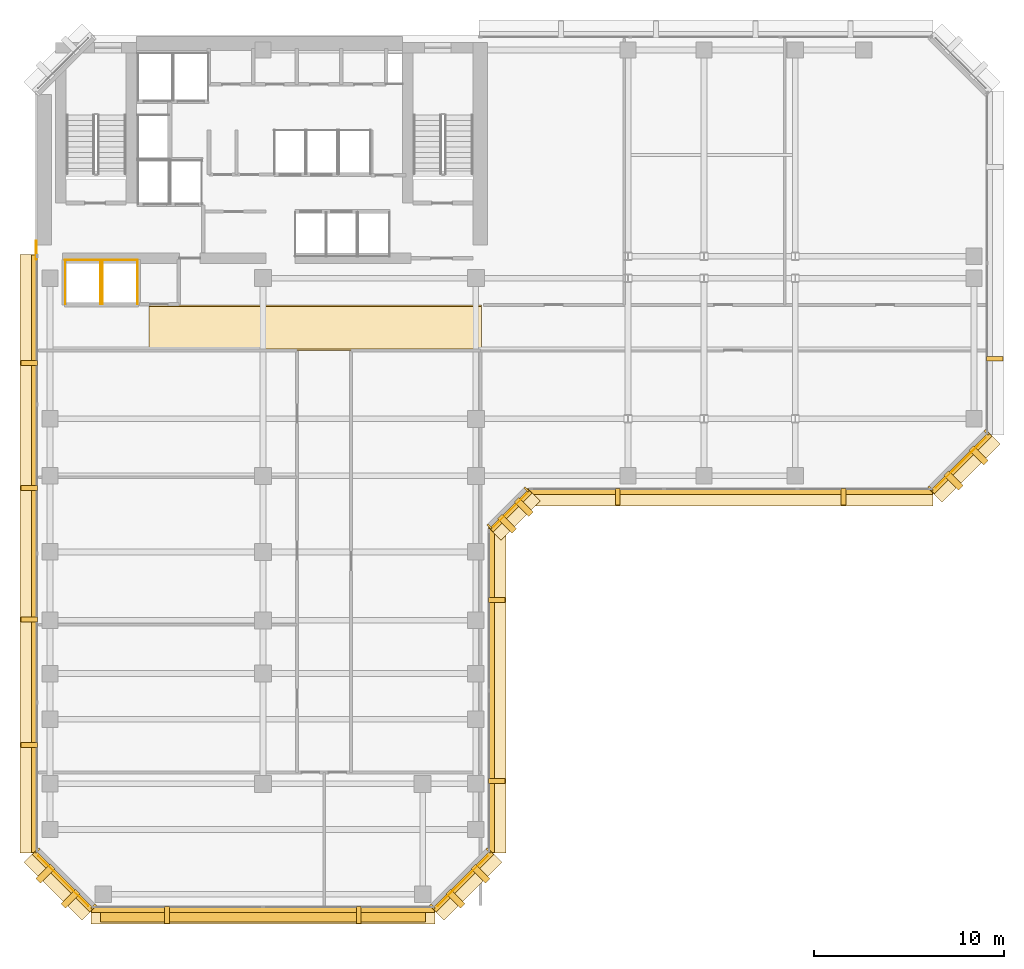
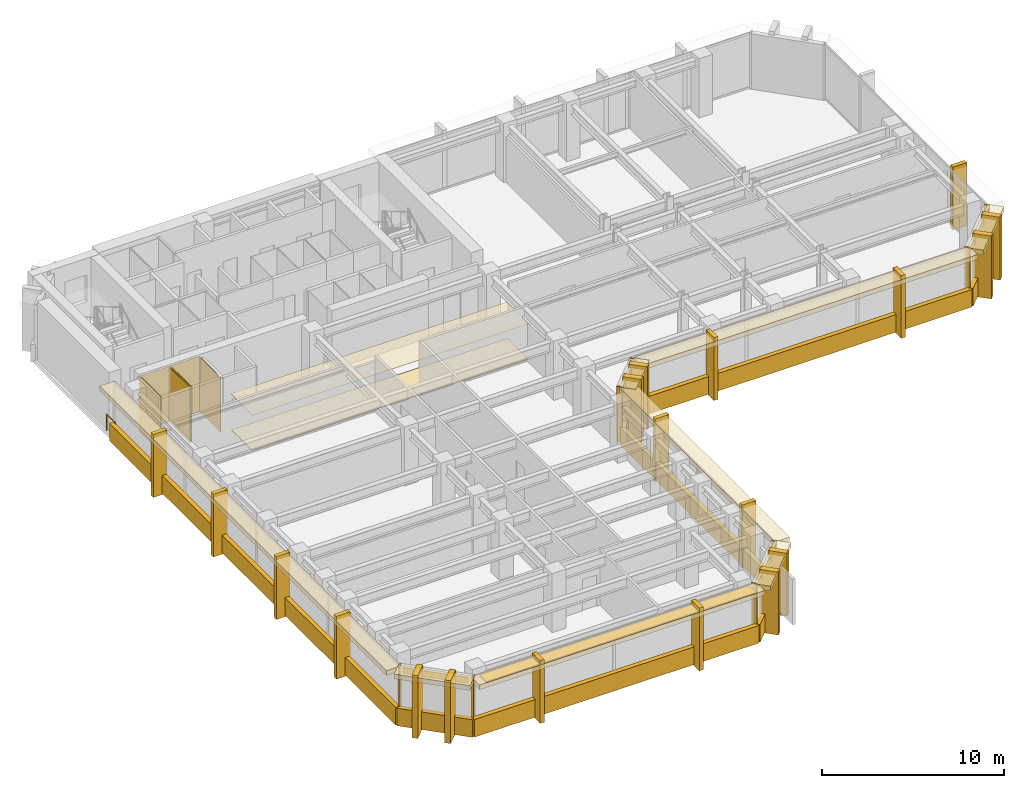
# One storey, part 9 of 11: 55 coverings, 1 railing, 1 shading device.
"""IFC4 building model written with IfcOpenShell, lengths in metres."""

from ifc_helpers import new_model, si_unit, direction, frame, origin, origin_2d, place, context, subcontext, project, spatial, polyline, rectangle, circle, outline, extrude, material, layer, layer_set, type_object, element, save


model = new_model("IFC4")

# Units and contexts
model_context = context("Model", 3, precision=1e-05, world=origin(), true_north=direction((0.0, 1.0)))
body_context = subcontext(model_context, "Body", "Model", "MODEL_VIEW")
ifc_project = project(units=[si_unit("LENGTHUNIT", "METRE"), si_unit("AREAUNIT", "SQUARE_METRE"), si_unit("VOLUMEUNIT", "CUBIC_METRE"), si_unit("PLANEANGLEUNIT", "RADIAN"), si_unit("MASSUNIT", "GRAM", prefix="KILO")], contexts=[model_context])

# Site, building, storey
site_placement = place(None, origin())
site = spatial("IfcSite", under=ifc_project, at=site_placement, CompositionType="ELEMENT")
building_placement = place(site_placement, origin())
building = spatial("IfcBuilding", under=site, at=building_placement, Name="Kefirva Bronze Tower", CompositionType="ELEMENT")
storey_placement = place(building_placement, frame((0.0, 0.0, 166.64990234375)))
storey = spatial("IfcBuildingStorey", under=building, at=storey_placement, Name="L40", CompositionType="ELEMENT", Elevation=166.64990234375)

# Coverings
ifc_material_1 = material(Name="Acoustic mineral tile")
ifc_layer_1 = layer(ifc_material_1, 0.02490234375, Name="Acoustic mineral tile")
ifc_layer_set_1 = layer_set([ifc_layer_1], Name="Acoustic mineral tile")
covering_type_1 = type_object("IfcCoveringType", Name="Acoustic Mineral Suspended Ceiling 25mm", PredefinedType="CEILING", material=ifc_layer_set_1)
covering_1_placement = place(storey_placement, frame((0.0, 0.0, 2.400146484375)))
element("IfcCovering", 1, at=covering_1_placement, inside=storey, type_object=covering_type_1, Name="L40 Corridor Acoustic Ceiling", PredefinedType="CEILING", context=body_context, shape_type="SweptSolid", body=[
    extrude(outline(polyline([(6.0, 29.39990234375), (23.5, 29.39990234375), (23.5, 31.800048828125), (6.0, 31.800048828125), (6.0, 29.39990234375)])), origin(), (0.0, 0.0, 1.0), 0.02490234375),
])
ifc_material_2 = material(Name="Bronze anodised aluminium", Category="aluminium")
ifc_layer_2 = layer(ifc_material_2, 0.02001953125, Name="Bronze anodised aluminium")
ifc_layer_set_2 = layer_set([ifc_layer_2], Name="Bronze anodised aluminium")
covering_type_2 = type_object("IfcCoveringType", Name="Anodised Bronze Spandrel Cladding 20mm", PredefinedType="CLADDING", material=ifc_layer_set_2)
covering_2_placement = place(storey_placement, frame((12.0, -0.0400390625, -0.15966796875), z_axis=(0.0, 0.0, 1.0), x_axis=(1.0, 0.0, 0.0)))
element("IfcCovering", 2, at=covering_2_placement, inside=storey, type_object=covering_type_2, Name="L40 Streamline Horizontal Spandrel Band 0", PredefinedType="CLADDING", context=body_context, shape_type="SweptSolid", body=[
    extrude(rectangle(XDim=18.0400390625, YDim=0.280029296875, at=origin_2d()), origin(), (0.0, 0.0, 1.0), 1.179931640625),
])
covering_3_placement = place(storey_placement, frame((22.507080078125, 1.492919921875, 3.2900390625), z_axis=(0.0, 0.0, 1.0), x_axis=(0.707106781187, 0.707106781187, 0.0)))
element("IfcCovering", 3, at=covering_3_placement, inside=storey, type_object=covering_type_2, Name="L40 Bronze Spandrel Cladding 1", PredefinedType="CLADDING", context=body_context, shape_type="SweptSolid", body=[
    extrude(rectangle(XDim=3.719482421875, YDim=0.02001953125, at=origin_2d()), origin(), (0.0, 0.0, 1.0), 0.39990234375),
])
for number, where, z_axis, x_axis, name in (
    (4, (20.91162109375, 0.137939453125, 0.0), (0.0, 0.0, 1.0), (0.707106781187, 0.707106781187, 0.0), "L40 Facade Joint Closure Panel 1S"),
    (5, (23.862060546875, 3.08837890625, 0.0), (0.0, 0.0, 1.0), (0.707106781187, 0.707106781187, 0.0), "L40 Facade Joint Closure Panel 1E"),
):
    element("IfcCovering", number, at=place(storey_placement, frame(where, z_axis=z_axis, x_axis=x_axis)), inside=storey, type_object=covering_type_2, Name=name, PredefinedType="CLADDING", context=body_context, shape_type="SweptSolid", body=[
        extrude(rectangle(XDim=0.10009765625, YDim=0.320068359375, at=origin_2d()), origin(), (0.0, 0.0, 1.0), 3.7099609375),
    ])
covering_4_placement = place(storey_placement, frame((22.5283203125, 1.4716796875, -0.15966796875), z_axis=(0.0, 0.0, 1.0), x_axis=(0.707106781187, 0.707106781187, 0.0)))
element("IfcCovering", 6, at=covering_4_placement, inside=storey, type_object=covering_type_2, Name="L40 Streamline Horizontal Spandrel Band 1", PredefinedType="CLADDING", context=body_context, shape_type="SweptSolid", body=[
    extrude(rectangle(XDim=4.28271484375, YDim=0.280029296875, at=origin_2d()), origin(), (0.0, 0.0, 1.0), 1.179931640625),
])
covering_5_placement = place(storey_placement, frame((24.0400390625, 11.5, -0.15966796875), z_axis=(0.0, 0.0, 1.0), x_axis=(0.0, 1.0, 0.0)))
element("IfcCovering", 7, at=covering_5_placement, inside=storey, type_object=covering_type_2, Name="L40 Streamline Horizontal Spandrel Band 2", PredefinedType="CLADDING", context=body_context, shape_type="SweptSolid", body=[
    extrude(rectangle(XDim=17.0400390625, YDim=0.280029296875, at=origin_2d()), origin(), (0.0, 0.0, 1.0), 1.179931640625),
])
covering_6_placement = place(storey_placement, frame((25.007080078125, 20.992919921875, 3.2900390625), z_axis=(0.0, 0.0, 1.0), x_axis=(0.707106781187, 0.707106781187, 0.0)))
element("IfcCovering", 8, at=covering_6_placement, inside=storey, type_object=covering_type_2, Name="L40 Bronze Spandrel Cladding 2", PredefinedType="CLADDING", context=body_context, shape_type="SweptSolid", body=[
    extrude(rectangle(XDim=2.446533203125, YDim=0.02001953125, at=origin_2d()), origin(), (0.0, 0.0, 1.0), 0.39990234375),
])
for number, where, z_axis, x_axis, name in (
    (9, (23.91162109375, 20.137939453125, 0.0), (0.0, 0.0, 1.0), (0.707106781187, 0.707106781187, 0.0), "L40 Facade Joint Closure Panel 2S"),
    (10, (25.862060546875, 22.08837890625, 0.0), (0.0, 0.0, 1.0), (0.707106781187, 0.707106781187, 0.0), "L40 Facade Joint Closure Panel 2E"),
):
    element("IfcCovering", number, at=place(storey_placement, frame(where, z_axis=z_axis, x_axis=x_axis)), inside=storey, type_object=covering_type_2, Name=name, PredefinedType="CLADDING", context=body_context, shape_type="SweptSolid", body=[
        extrude(rectangle(XDim=0.10009765625, YDim=0.320068359375, at=origin_2d()), origin(), (0.0, 0.0, 1.0), 3.7099609375),
    ])
covering_7_placement = place(storey_placement, frame((25.0283203125, 20.9716796875, -0.15966796875), z_axis=(0.0, 0.0, 1.0), x_axis=(0.707106781187, 0.707106781187, 0.0)))
element("IfcCovering", 11, at=covering_7_placement, inside=storey, type_object=covering_type_2, Name="L40 Streamline Horizontal Spandrel Band 3", PredefinedType="CLADDING", context=body_context, shape_type="SweptSolid", body=[
    extrude(rectangle(XDim=2.868408203125, YDim=0.280029296875, at=origin_2d()), origin(), (0.0, 0.0, 1.0), 1.179931640625),
])
covering_8_placement = place(storey_placement, frame((36.60009765625, 21.9599609375, -0.15966796875), z_axis=(0.0, 0.0, 1.0), x_axis=(1.0, 0.0, 0.0)))
element("IfcCovering", 12, at=covering_8_placement, inside=storey, type_object=covering_type_2, Name="L40 Streamline Horizontal Spandrel Band 4", PredefinedType="CLADDING", context=body_context, shape_type="SweptSolid", body=[
    extrude(rectangle(XDim=21.239990234375, YDim=0.280029296875, at=origin_2d()), origin(), (0.0, 0.0, 1.0), 1.179931640625),
])
covering_9_placement = place(storey_placement, frame((48.70703125, 23.492919921875, 3.2900390625), z_axis=(0.0, 0.0, 1.0), x_axis=(0.707106781187, 0.707106781187, 0.0)))
element("IfcCovering", 13, at=covering_9_placement, inside=storey, type_object=covering_type_2, Name="L40 Bronze Spandrel Cladding 3", PredefinedType="CLADDING", context=body_context, shape_type="SweptSolid", body=[
    extrude(rectangle(XDim=3.719482421875, YDim=0.02001953125, at=origin_2d()), origin(), (0.0, 0.0, 1.0), 0.39990234375),
])
for number, where, z_axis, x_axis, name in (
    (14, (47.11181640625, 22.137939453125, 0.0), (0.0, 0.0, 1.0), (0.707106781187, 0.707106781187, 0.0), "L40 Facade Joint Closure Panel 3S"),
    (15, (50.06201171875, 25.08837890625, 0.0), (0.0, 0.0, 1.0), (0.707106781187, 0.707106781187, 0.0), "L40 Facade Joint Closure Panel 3E"),
):
    element("IfcCovering", number, at=place(storey_placement, frame(where, z_axis=z_axis, x_axis=x_axis)), inside=storey, type_object=covering_type_2, Name=name, PredefinedType="CLADDING", context=body_context, shape_type="SweptSolid", body=[
        extrude(rectangle(XDim=0.10009765625, YDim=0.320068359375, at=origin_2d()), origin(), (0.0, 0.0, 1.0), 3.7099609375),
    ])
covering_10_placement = place(storey_placement, frame((48.728271484375, 23.4716796875, -0.15966796875), z_axis=(0.0, 0.0, 1.0), x_axis=(0.707106781187, 0.707106781187, 0.0)))
element("IfcCovering", 16, at=covering_10_placement, inside=storey, type_object=covering_type_2, Name="L40 Streamline Horizontal Spandrel Band 5", PredefinedType="CLADDING", context=body_context, shape_type="SweptSolid", body=[
    extrude(rectangle(XDim=4.28271484375, YDim=0.280029296875, at=origin_2d()), origin(), (0.0, 0.0, 1.0), 1.179931640625),
])
covering_11_placement = place(storey_placement, frame((-0.0400390625, 18.697509765625, -0.15966796875), z_axis=(0.0, 0.0, 1.0), x_axis=(0.0, -1.0, 0.0)))
element("IfcCovering", 17, at=covering_11_placement, inside=storey, type_object=covering_type_2, Name="L40 Streamline Horizontal Spandrel Band 10", PredefinedType="CLADDING", context=body_context, shape_type="SweptSolid", body=[
    extrude(rectangle(XDim=31.43505859375, YDim=0.280029296875, at=origin_2d()), origin(), (0.0, 0.0, 1.0), 1.179931640625),
])
covering_12_placement = place(storey_placement, frame((1.492919921875, 1.492919921875, 3.2900390625), z_axis=(0.0, 0.0, 1.0), x_axis=(0.707106781187, -0.707106781187, 0.0)))
element("IfcCovering", 18, at=covering_12_placement, inside=storey, type_object=covering_type_2, Name="L40 Bronze Spandrel Cladding 6", PredefinedType="CLADDING", context=body_context, shape_type="SweptSolid", body=[
    extrude(rectangle(XDim=3.719482421875, YDim=0.02001953125, at=origin_2d()), origin(), (0.0, 0.0, 1.0), 0.39990234375),
])
for number, where, z_axis, x_axis, name in (
    (19, (0.137939453125, 3.08837890625, 0.0), (0.0, 0.0, 1.0), (0.707106781187, -0.707106781187, 0.0), "L40 Facade Joint Closure Panel 6S"),
    (20, (3.08837890625, 0.137939453125, 0.0), (0.0, 0.0, 1.0), (0.707106781187, -0.707106781187, 0.0), "L40 Facade Joint Closure Panel 6E"),
):
    element("IfcCovering", number, at=place(storey_placement, frame(where, z_axis=z_axis, x_axis=x_axis)), inside=storey, type_object=covering_type_2, Name=name, PredefinedType="CLADDING", context=body_context, shape_type="SweptSolid", body=[
        extrude(rectangle(XDim=0.10009765625, YDim=0.320068359375, at=origin_2d()), origin(), (0.0, 0.0, 1.0), 3.7099609375),
    ])
covering_13_placement = place(storey_placement, frame((1.4716796875, 1.4716796875, -0.15966796875), z_axis=(0.0, 0.0, 1.0), x_axis=(0.707106781187, -0.707106781187, 0.0)))
element("IfcCovering", 21, at=covering_13_placement, inside=storey, type_object=covering_type_2, Name="L40 Streamline Horizontal Spandrel Band 11", PredefinedType="CLADDING", context=body_context, shape_type="SweptSolid", body=[
    extrude(rectangle(XDim=4.28271484375, YDim=0.280029296875, at=origin_2d()), origin(), (0.0, 0.0, 1.0), 1.179931640625),
])
covering_14_placement = place(storey_placement, origin())
element("IfcCovering", 22, at=covering_14_placement, inside=storey, type_object=covering_type_2, Name="L40 Lift OB1 Hoistway Liner N", PredefinedType="CLADDING", context=body_context, shape_type="SweptSolid", body=[
    extrude(outline(polyline([(1.580078125, 34.139892578125), (3.469970703125, 34.139892578125), (3.469970703125, 34.159912109375), (1.580078125, 34.159912109375), (1.580078125, 34.139892578125)])), origin(), (0.0, 0.0, 1.0), 3.710205078125),
])
covering_15_placement = place(storey_placement, origin())
element("IfcCovering", 23, at=covering_15_placement, inside=storey, type_object=covering_type_2, Name="L40 Lift OB1 Hoistway Liner W", PredefinedType="CLADDING", context=body_context, shape_type="SweptSolid", body=[
    extrude(outline(polyline([(1.590087890625, 31.830078125), (1.610107421875, 31.830078125), (1.610107421875, 34.169921875), (1.590087890625, 34.169921875), (1.590087890625, 31.830078125)])), origin(), (0.0, 0.0, 1.0), 3.710205078125),
])
covering_16_placement = place(storey_placement, origin())
element("IfcCovering", 24, at=covering_16_placement, inside=storey, type_object=covering_type_2, Name="L40 Lift OB1 Hoistway Liner E", PredefinedType="CLADDING", context=body_context, shape_type="SweptSolid", body=[
    extrude(outline(polyline([(3.43994140625, 31.830078125), (3.4599609375, 31.830078125), (3.4599609375, 34.169921875), (3.43994140625, 34.169921875), (3.43994140625, 31.830078125)])), origin(), (0.0, 0.0, 1.0), 3.710205078125),
])
covering_17_placement = place(storey_placement, origin())
element("IfcCovering", 25, at=covering_17_placement, inside=storey, type_object=covering_type_2, Name="L40 Lift OB2 Hoistway Liner N", PredefinedType="CLADDING", context=body_context, shape_type="SweptSolid", body=[
    extrude(outline(polyline([(3.530029296875, 34.139892578125), (5.419921875, 34.139892578125), (5.419921875, 34.159912109375), (3.530029296875, 34.159912109375), (3.530029296875, 34.139892578125)])), origin(), (0.0, 0.0, 1.0), 3.710205078125),
])
covering_18_placement = place(storey_placement, origin())
element("IfcCovering", 26, at=covering_18_placement, inside=storey, type_object=covering_type_2, Name="L40 Lift OB2 Hoistway Liner W", PredefinedType="CLADDING", context=body_context, shape_type="SweptSolid", body=[
    extrude(outline(polyline([(3.5400390625, 31.830078125), (3.56005859375, 31.830078125), (3.56005859375, 34.169921875), (3.5400390625, 34.169921875), (3.5400390625, 31.830078125)])), origin(), (0.0, 0.0, 1.0), 3.710205078125),
])
covering_19_placement = place(storey_placement, origin())
element("IfcCovering", 27, at=covering_19_placement, inside=storey, type_object=covering_type_2, Name="L40 Lift OB2 Hoistway Liner E", PredefinedType="CLADDING", context=body_context, shape_type="SweptSolid", body=[
    extrude(outline(polyline([(5.389892578125, 31.830078125), (5.409912109375, 31.830078125), (5.409912109375, 34.169921875), (5.389892578125, 34.169921875), (5.389892578125, 31.830078125)])), origin(), (0.0, 0.0, 1.0), 3.710205078125),
])

# Shading device
ifc_layer_3 = layer(ifc_material_2, 0.090087890625, Name="Bronze anodised aluminium")
ifc_layer_set_3 = layer_set([ifc_layer_3], Name="Bronze anodised aluminium")
shading_device_type = type_object("IfcShadingDeviceType", Name="Horizontal Bronze Sunshade Band 750mm", PredefinedType="JALOUSIE", material=ifc_layer_set_3)
shading_device_placement = place(storey_placement, frame((12.0, -0.294921875, 3.60498046875), z_axis=(0.0, 0.0, 1.0), x_axis=(1.0, 0.0, 0.0)))
element("IfcShadingDevice", 28, at=shading_device_placement, inside=storey, type_object=shading_device_type, Name="L40 Horizontal Bronze Sunshade Band 0", PredefinedType="JALOUSIE", context=body_context, shape_type="SweptSolid", body=[
    extrude(rectangle(XDim=17.090087890625, YDim=0.75, at=origin_2d()), origin(), (0.0, 0.0, 1.0), 0.090087890625),
])

# Railing
ifc_material_3 = material(Name="Stainless steel 316", Category="steel")
railing_type = type_object("IfcRailingType", Name="Interior Stair Guardrail 1100mm", PredefinedType="GUARDRAIL", material=ifc_material_3)
railing_placement = place(storey_placement, frame((0.080078125, 34.199951171875, 0.0)))
element("IfcRailing", 29, at=railing_placement, inside=storey, type_object=railing_type, Name="L40 West Core Junction Guardrail", PredefinedType="GUARDRAIL", context=body_context, shape_type="SweptSolid", body=[
    extrude(circle(Radius=0.02392578125, at=origin_2d()), frame((0.0, 0.0, 1.076171875), z_axis=(0.0, 1.0, 0.0), x_axis=(-1.0, 0.0, 0.0)), (0.0, 0.0, 1.0), 0.949951171875),
    extrude(circle(Radius=0.02099609375, at=origin_2d()), origin(), (0.0, 0.0, 1.0), 1.052001953125),
    extrude(circle(Radius=0.02099609375, at=origin_2d()), frame((0.0, 0.949951171875, 0.0)), (0.0, 0.0, 1.0), 1.052001953125),
])

# Coverings
ifc_material_4 = material(Name="Calcium sulphate access tile")
ifc_layer_4 = layer(ifc_material_4, 0.044921875, Name="Calcium sulphate access tile")
ifc_layer_set_4 = layer_set([ifc_layer_4], Name="Calcium sulphate access tile")
covering_type_3 = type_object("IfcCoveringType", Name="Raised Access Office Flooring 45mm", PredefinedType="FLOORING", material=ifc_layer_set_4)
covering_20_placement = place(storey_placement, origin())
element("IfcCovering", 30, at=covering_20_placement, inside=storey, type_object=covering_type_3, Name="L40 Architectural Finish Flooring", PredefinedType="FLOORING", context=body_context, shape_type="SweptSolid", body=[
    extrude(outline(polyline([(6.0, 29.47998046875), (23.5, 29.47998046875), (23.5, 31.719970703125), (6.0, 31.719970703125), (6.0, 29.47998046875)])), origin(), (0.0, 0.0, 1.0), 0.045166015625),
])
ifc_layer_5 = layer(ifc_material_2, 0.179931640625, Name="Bronze anodised aluminium")
ifc_layer_set_5 = layer_set([ifc_layer_5], Name="Bronze anodised aluminium")
covering_type_4 = type_object("IfcCoveringType", Name="Streamline Bronze Sunshade Eyebrow Cladding 180mm", PredefinedType="CLADDING", material=ifc_layer_set_5)
covering_21_placement = place(storey_placement, frame((12.0, -0.31005859375, 3.39013671875), z_axis=(0.0, 0.0, 1.0), x_axis=(1.0, 0.0, 0.0)))
element("IfcCovering", 31, at=covering_21_placement, inside=storey, type_object=covering_type_4, Name="L40 Streamline Bronze Sunshade Eyebrow 0", PredefinedType="CLADDING", context=body_context, shape_type="SweptSolid", body=[
    extrude(rectangle(XDim=18.080078125, YDim=0.93994140625, at=origin_2d()), origin(), (0.0, 0.0, 1.0), 0.320068359375),
])
covering_22_placement = place(storey_placement, frame((22.71923828125, 1.28076171875, 3.39013671875), z_axis=(0.0, 0.0, 1.0), x_axis=(0.707106781187, 0.707106781187, 0.0)))
element("IfcCovering", 32, at=covering_22_placement, inside=storey, type_object=covering_type_4, Name="L40 Streamline Bronze Sunshade Eyebrow 1", PredefinedType="CLADDING", context=body_context, shape_type="SweptSolid", body=[
    extrude(rectangle(XDim=4.322509765625, YDim=0.93994140625, at=origin_2d()), origin(), (0.0, 0.0, 1.0), 0.320068359375),
])
covering_23_placement = place(storey_placement, frame((24.31005859375, 11.5, 3.39013671875), z_axis=(0.0, 0.0, 1.0), x_axis=(0.0, 1.0, 0.0)))
element("IfcCovering", 33, at=covering_23_placement, inside=storey, type_object=covering_type_4, Name="L40 Streamline Bronze Sunshade Eyebrow 2", PredefinedType="CLADDING", context=body_context, shape_type="SweptSolid", body=[
    extrude(rectangle(XDim=17.080078125, YDim=0.93994140625, at=origin_2d()), origin(), (0.0, 0.0, 1.0), 0.320068359375),
])
covering_24_placement = place(storey_placement, frame((25.21923828125, 20.78076171875, 3.39013671875), z_axis=(0.0, 0.0, 1.0), x_axis=(0.707106781187, 0.707106781187, 0.0)))
element("IfcCovering", 34, at=covering_24_placement, inside=storey, type_object=covering_type_4, Name="L40 Streamline Bronze Sunshade Eyebrow 3", PredefinedType="CLADDING", context=body_context, shape_type="SweptSolid", body=[
    extrude(rectangle(XDim=2.908447265625, YDim=0.93994140625, at=origin_2d()), origin(), (0.0, 0.0, 1.0), 0.320068359375),
])
covering_25_placement = place(storey_placement, frame((36.60009765625, 21.68994140625, 3.39013671875), z_axis=(0.0, 0.0, 1.0), x_axis=(1.0, 0.0, 0.0)))
element("IfcCovering", 35, at=covering_25_placement, inside=storey, type_object=covering_type_4, Name="L40 Streamline Bronze Sunshade Eyebrow 4", PredefinedType="CLADDING", context=body_context, shape_type="SweptSolid", body=[
    extrude(rectangle(XDim=21.280029296875, YDim=0.93994140625, at=origin_2d()), origin(), (0.0, 0.0, 1.0), 0.320068359375),
])
covering_26_placement = place(storey_placement, frame((48.919189453125, 23.28076171875, 3.39013671875), z_axis=(0.0, 0.0, 1.0), x_axis=(0.707106781187, 0.707106781187, 0.0)))
element("IfcCovering", 36, at=covering_26_placement, inside=storey, type_object=covering_type_4, Name="L40 Streamline Bronze Sunshade Eyebrow 5", PredefinedType="CLADDING", context=body_context, shape_type="SweptSolid", body=[
    extrude(rectangle(XDim=4.322509765625, YDim=0.93994140625, at=origin_2d()), origin(), (0.0, 0.0, 1.0), 0.320068359375),
])
covering_27_placement = place(storey_placement, frame((-0.31005859375, 18.697509765625, 3.39013671875), z_axis=(0.0, 0.0, 1.0), x_axis=(0.0, -1.0, 0.0)))
element("IfcCovering", 37, at=covering_27_placement, inside=storey, type_object=covering_type_4, Name="L40 Streamline Bronze Sunshade Eyebrow 10", PredefinedType="CLADDING", context=body_context, shape_type="SweptSolid", body=[
    extrude(rectangle(XDim=31.47509765625, YDim=0.93994140625, at=origin_2d()), origin(), (0.0, 0.0, 1.0), 0.320068359375),
])
covering_28_placement = place(storey_placement, frame((1.28076171875, 1.28076171875, 3.39013671875), z_axis=(0.0, 0.0, 1.0), x_axis=(0.707106781187, -0.707106781187, 0.0)))
element("IfcCovering", 38, at=covering_28_placement, inside=storey, type_object=covering_type_4, Name="L40 Streamline Bronze Sunshade Eyebrow 11", PredefinedType="CLADDING", context=body_context, shape_type="SweptSolid", body=[
    extrude(rectangle(XDim=4.322509765625, YDim=0.93994140625, at=origin_2d()), origin(), (0.0, 0.0, 1.0), 0.320068359375),
])
ifc_layer_6 = layer(ifc_material_2, 0.260009765625, Name="Bronze anodised aluminium")
ifc_layer_set_6 = layer_set([ifc_layer_6], Name="Bronze anodised aluminium")
covering_type_5 = type_object("IfcCoveringType", Name="Unbroken Bronze Buttress Fin Cladding 260mm", PredefinedType="CLADDING", material=ifc_layer_set_6)
for number, where, z_axis, x_axis, name in (
    (39, (6.9599609375, -0.300048828125, -0.25), (0.0, 0.0, 1.0), (1.0, 0.0, 0.0), "L40 Unbroken Vertical Bronze Rib Fin 1"),
    (40, (17.0400390625, -0.300048828125, -0.25), (0.0, 0.0, 1.0), (1.0, 0.0, 0.0), "L40 Unbroken Vertical Bronze Rib Fin 2"),
):
    element("IfcCovering", number, at=place(storey_placement, frame(where, z_axis=z_axis, x_axis=x_axis)), inside=storey, type_object=covering_type_5, Name=name, PredefinedType="CLADDING", context=body_context, shape_type="SweptSolid", body=[
        extrude(rectangle(XDim=0.260009765625, YDim=0.8798828125, at=origin_2d()), origin(), (0.0, 0.0, 1.0), 4.2099609375),
    ])
for number, where, z_axis, x_axis, name in (
    (41, (22.122802734375, 0.55712890625, -0.25), (0.0, 0.0, 1.0), (0.707106781187, 0.707106781187, 0.0), "L40 Chamfered Corner Buttress Fin Cladding 3"),
    (42, (23.44287109375, 1.877197265625, -0.25), (0.0, 0.0, 1.0), (0.707106781187, 0.707106781187, 0.0), "L40 Chamfered Corner Buttress Fin Cladding 4"),
):
    element("IfcCovering", number, at=place(storey_placement, frame(where, z_axis=z_axis, x_axis=x_axis)), inside=storey, type_object=covering_type_5, Name=name, PredefinedType="CLADDING", context=body_context, shape_type="SweptSolid", body=[
        extrude(rectangle(XDim=0.340087890625, YDim=1.080078125, at=origin_2d()), origin(), (0.0, 0.0, 1.0), 4.2099609375),
    ])
for number, where, z_axis, x_axis, name in (
    (43, (24.300048828125, 6.739990234375, -0.25), (0.0, 0.0, 1.0), (0.0, 1.0, 0.0), "L40 Unbroken Vertical Bronze Rib Fin 5"),
    (44, (24.300048828125, 16.260009765625, -0.25), (0.0, 0.0, 1.0), (0.0, 1.0, 0.0), "L40 Unbroken Vertical Bronze Rib Fin 6"),
):
    element("IfcCovering", number, at=place(storey_placement, frame(where, z_axis=z_axis, x_axis=x_axis)), inside=storey, type_object=covering_type_5, Name=name, PredefinedType="CLADDING", context=body_context, shape_type="SweptSolid", body=[
        extrude(rectangle(XDim=0.260009765625, YDim=0.8798828125, at=origin_2d()), origin(), (0.0, 0.0, 1.0), 4.2099609375),
    ])
for number, where, z_axis, x_axis, name in (
    (45, (24.8427734375, 20.277099609375, -0.25), (0.0, 0.0, 1.0), (0.707106781187, 0.707106781187, 0.0), "L40 Chamfered Corner Buttress Fin Cladding 7"),
    (46, (25.722900390625, 21.1572265625, -0.25), (0.0, 0.0, 1.0), (0.707106781187, 0.707106781187, 0.0), "L40 Chamfered Corner Buttress Fin Cladding 8"),
):
    element("IfcCovering", number, at=place(storey_placement, frame(where, z_axis=z_axis, x_axis=x_axis)), inside=storey, type_object=covering_type_5, Name=name, PredefinedType="CLADDING", context=body_context, shape_type="SweptSolid", body=[
        extrude(rectangle(XDim=0.340087890625, YDim=1.080078125, at=origin_2d()), origin(), (0.0, 0.0, 1.0), 4.2099609375),
    ])
for number, where, z_axis, x_axis, name in (
    (47, (30.6640625, 21.699951171875, -0.25), (0.0, 0.0, 1.0), (1.0, 0.0, 0.0), "L40 Unbroken Vertical Bronze Rib Fin 9"),
    (48, (42.535888671875, 21.699951171875, -0.25), (0.0, 0.0, 1.0), (1.0, 0.0, 0.0), "L40 Unbroken Vertical Bronze Rib Fin 10"),
):
    element("IfcCovering", number, at=place(storey_placement, frame(where, z_axis=z_axis, x_axis=x_axis)), inside=storey, type_object=covering_type_5, Name=name, PredefinedType="CLADDING", context=body_context, shape_type="SweptSolid", body=[
        extrude(rectangle(XDim=0.260009765625, YDim=0.8798828125, at=origin_2d()), origin(), (0.0, 0.0, 1.0), 4.2099609375),
    ])
for number, where, z_axis, x_axis, name in (
    (49, (48.32275390625, 22.55712890625, -0.25), (0.0, 0.0, 1.0), (0.707106781187, 0.707106781187, 0.0), "L40 Chamfered Corner Buttress Fin Cladding 11"),
    (50, (49.642822265625, 23.877197265625, -0.25), (0.0, 0.0, 1.0), (0.707106781187, 0.707106781187, 0.0), "L40 Chamfered Corner Buttress Fin Cladding 12"),
):
    element("IfcCovering", number, at=place(storey_placement, frame(where, z_axis=z_axis, x_axis=x_axis)), inside=storey, type_object=covering_type_5, Name=name, PredefinedType="CLADDING", context=body_context, shape_type="SweptSolid", body=[
        extrude(rectangle(XDim=0.340087890625, YDim=1.080078125, at=origin_2d()), origin(), (0.0, 0.0, 1.0), 4.2099609375),
    ])
for number, where, z_axis, x_axis, name in (
    (51, (50.5, 28.9599609375, -0.25), (0.0, 0.0, 1.0), (0.0, 1.0, 0.0), "L40 Unbroken Vertical Bronze Rib Fin 13"),
    (52, (-0.300048828125, 28.743896484375, -0.25), (0.0, 0.0, 1.0), (0.0, -1.0, 0.0), "L40 Unbroken Vertical Bronze Rib Fin 23"),
    (53, (-0.300048828125, 22.15087890625, -0.25), (0.0, 0.0, 1.0), (0.0, -1.0, 0.0), "L40 Unbroken Vertical Bronze Rib Fin 24"),
    (54, (-0.300048828125, 15.244140625, -0.25), (0.0, 0.0, 1.0), (0.0, -1.0, 0.0), "L40 Unbroken Vertical Bronze Rib Fin 25"),
    (55, (-0.300048828125, 8.651123046875, -0.25), (0.0, 0.0, 1.0), (0.0, -1.0, 0.0), "L40 Unbroken Vertical Bronze Rib Fin 26"),
):
    element("IfcCovering", number, at=place(storey_placement, frame(where, z_axis=z_axis, x_axis=x_axis)), inside=storey, type_object=covering_type_5, Name=name, PredefinedType="CLADDING", context=body_context, shape_type="SweptSolid", body=[
        extrude(rectangle(XDim=0.260009765625, YDim=0.8798828125, at=origin_2d()), origin(), (0.0, 0.0, 1.0), 4.2099609375),
    ])
for number, where, z_axis, x_axis, name in (
    (56, (0.55712890625, 1.877197265625, -0.25), (0.0, 0.0, 1.0), (0.707106781187, -0.707106781187, 0.0), "L40 Chamfered Corner Buttress Fin Cladding 27"),
    (57, (1.877197265625, 0.55712890625, -0.25), (0.0, 0.0, 1.0), (0.707106781187, -0.707106781187, 0.0), "L40 Chamfered Corner Buttress Fin Cladding 28"),
):
    element("IfcCovering", number, at=place(storey_placement, frame(where, z_axis=z_axis, x_axis=x_axis)), inside=storey, type_object=covering_type_5, Name=name, PredefinedType="CLADDING", context=body_context, shape_type="SweptSolid", body=[
        extrude(rectangle(XDim=0.340087890625, YDim=1.080078125, at=origin_2d()), origin(), (0.0, 0.0, 1.0), 4.2099609375),
    ])

save(model, "model.ifc")
